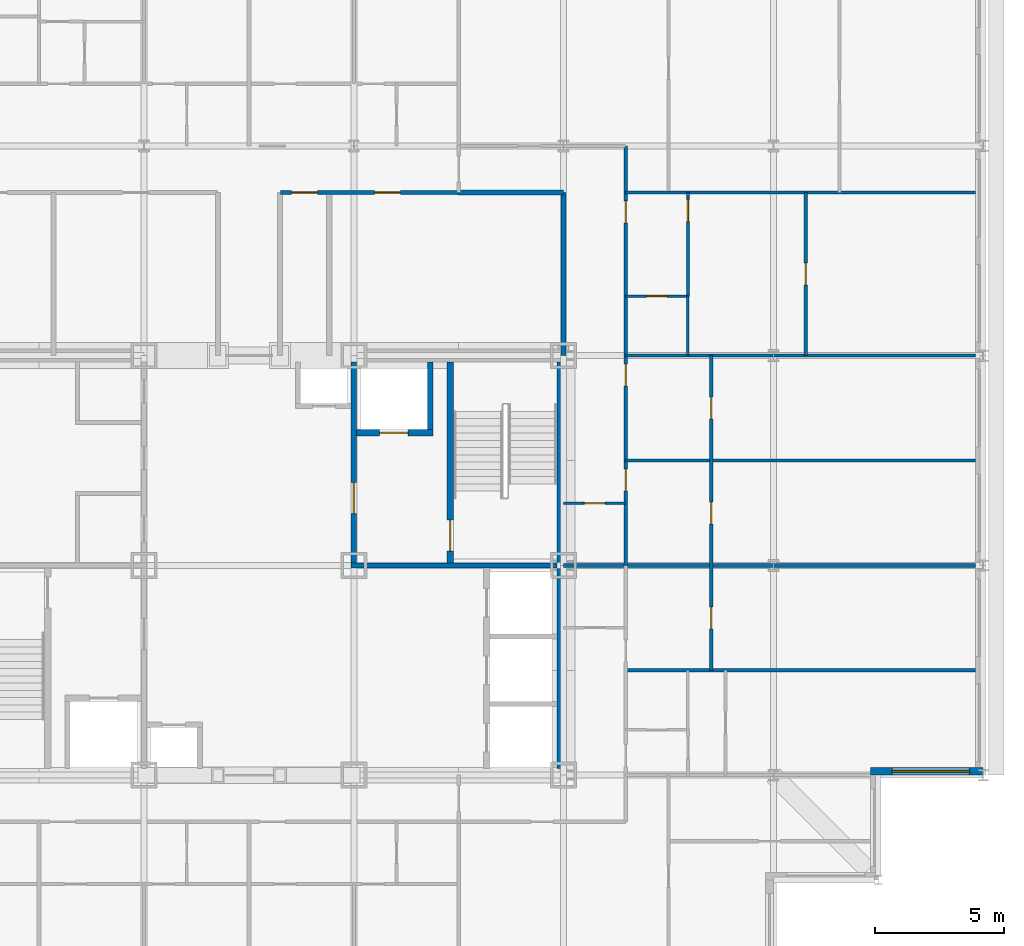
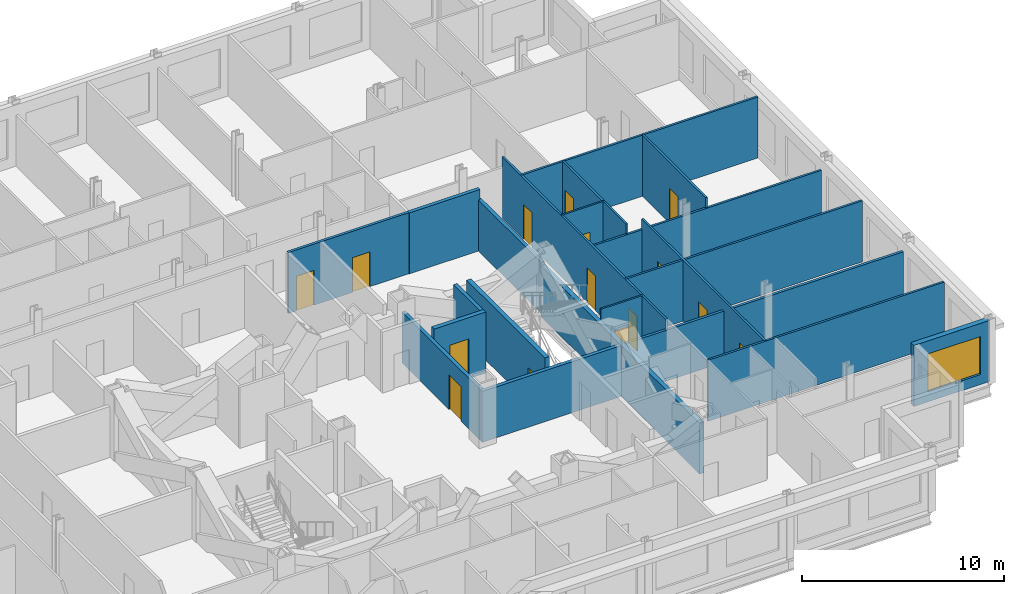
# One storey, part 11 of 16: 22 walls, 15 doors, 1 window, 16 openings.
"""IFC4 building model written with IfcOpenShell, lengths in metres."""

from ifc_helpers import new_model, si_unit, direction, frame, frame_2d, origin, place, context, subcontext, project, spatial, rectangle, extrude, material, layer, layer_set, type_object, element, fill, save


model = new_model("IFC4")

# Units and contexts
model_context = context("Model", 3, precision=1e-05, world=origin(), true_north=direction((0.0, 1.0)))
body_context = subcontext(model_context, "Body", "Model", "MODEL_VIEW")
ifc_project = project(units=[si_unit("LENGTHUNIT", "METRE"), si_unit("AREAUNIT", "SQUARE_METRE"), si_unit("VOLUMEUNIT", "CUBIC_METRE"), si_unit("PLANEANGLEUNIT", "RADIAN"), si_unit("MASSUNIT", "GRAM", prefix="KILO")], contexts=[model_context])

# Site, building, storey
site_placement = place(None, origin())
site = spatial("IfcSite", under=ifc_project, at=site_placement, CompositionType="ELEMENT")
building_placement = place(site_placement, origin())
building = spatial("IfcBuilding", under=site, at=building_placement, Name="Kopane Lantern Tower", CompositionType="ELEMENT")
storey_placement = place(building_placement, frame((0.0, 0.0, 261.89990234375)))
storey = spatial("IfcBuildingStorey", under=building, at=storey_placement, Name="L67", CompositionType="ELEMENT", Elevation=261.89990234375)

# Wall
ifc_material_1 = material(Name="Gypsum board on steel studs", Category="steel")
ifc_layer_1 = layer(ifc_material_1, 0.1201171875)
ifc_layer_set_1 = layer_set([ifc_layer_1], Name="APARTMENT INTERNAL WALL 120")
wall_type_1 = type_object("IfcWallType", Name="APARTMENT INTERNAL WALL 120", PredefinedType="PARTITIONING", material=ifc_layer_set_1)
wall_1_placement = place(storey_placement, frame((42.89990234375, 28.35009765625, 0.0), z_axis=(0.0, 0.0, 1.0), x_axis=(1.0, 0.0, 0.0)))
element("IfcWall", 1, at=wall_1_placement, inside=storey, type_object=wall_type_1, Name="Apartment Internal Wall 120 L67", PredefinedType="PARTITIONING", context=body_context, shape_type="SweptSolid", body=[
    extrude(rectangle(XDim=13.5, YDim=0.1201171875, at=frame_2d((6.75, 0.0))), origin(), (0.0, 0.0, 1.0), 3.690185546875),
])

# Wall, openings, doors
wall_2_placement = place(storey_placement, frame((42.89990234375, 48.60009765625, 0.0), z_axis=(0.0, 0.0, 1.0), x_axis=(0.0, -1.0, 0.0)))
wall_2 = element("IfcWall", 2, at=wall_2_placement, inside=storey, type_object=wall_type_1, Name="Apartment Internal Wall 120 L67", PredefinedType="PARTITIONING", context=body_context, shape_type="SweptSolid", body=[
    extrude(rectangle(XDim=16.2001953125, YDim=0.1201171875, at=frame_2d((8.10009765625, 0.0))), origin(), (0.0, 0.0, 1.0), 3.690185546875),
])
opening_1_placement = place(wall_2_placement, frame((2.125, 0.0, 0.0)))
opening_1 = element("IfcOpeningElement", 3, at=opening_1_placement, cuts=wall_2, Name="Opening L67-062", PredefinedType="OPENING", context=body_context, shape_type="SweptSolid", body=[
    extrude(rectangle(XDim=0.85009765625, YDim=2.10009765625, at=frame_2d((0.425048828125, 1.050048828125))), frame((0.0, 0.070068359375, 0.0), z_axis=(0.0, -1.0, 0.0), x_axis=(1.0, 0.0, 0.0)), (0.0, 0.0, 1.0), 0.14013671875),
])
opening_2_placement = place(wall_2_placement, frame((8.425048828125, 0.0, 0.0)))
opening_2 = element("IfcOpeningElement", 4, at=opening_2_placement, cuts=wall_2, Name="Opening L67-063", PredefinedType="OPENING", context=body_context, shape_type="SweptSolid", body=[
    extrude(rectangle(XDim=0.85009765625, YDim=2.10009765625, at=frame_2d((0.425048828125, 1.050048828125))), frame((0.0, 0.070068359375, 0.0), z_axis=(0.0, -1.0, 0.0), x_axis=(1.0, 0.0, 0.0)), (0.0, 0.0, 1.0), 0.14013671875),
])
opening_3_placement = place(wall_2_placement, frame((12.47509765625, 0.0, 0.0)))
opening_3 = element("IfcOpeningElement", 5, at=opening_3_placement, cuts=wall_2, Name="Opening L67-064", PredefinedType="OPENING", context=body_context, shape_type="SweptSolid", body=[
    extrude(rectangle(XDim=0.85009765625, YDim=2.10009765625, at=frame_2d((0.425048828125, 1.050048828125))), frame((0.0, 0.070068359375, 0.0), z_axis=(0.0, -1.0, 0.0), x_axis=(1.0, 0.0, 0.0)), (0.0, 0.0, 1.0), 0.14013671875),
])
ifc_material_2 = material(Name="Timber door set", Category="wood")
door_type_1 = type_object("IfcDoorType", Name="DOOR D4 850x2100", OperationType="SINGLE_SWING_LEFT", PredefinedType="DOOR", material=ifc_material_2)
door_1_placement = place(opening_1_placement, origin())
door_1 = element("IfcDoor", 6, at=door_1_placement, inside=storey, type_object=door_type_1, Name="Door L67-062", OperationType="SINGLE_SWING_LEFT", OverallHeight=2.10009765625, OverallWidth=0.85009765625, PredefinedType="DOOR", context=body_context, shape_type="SweptSolid", body=[
    extrude(rectangle(XDim=0.85009765625, YDim=2.10009765625, at=frame_2d((0.425048828125, 1.050048828125))), frame((0.0, 0.02490234375, 0.0), z_axis=(0.0, -1.0, 0.0), x_axis=(1.0, 0.0, 0.0)), (0.0, 0.0, 1.0), 0.050048828125),
])
fill(opening_1, door_1)
door_2_placement = place(opening_2_placement, origin())
door_2 = element("IfcDoor", 7, at=door_2_placement, inside=storey, type_object=door_type_1, Name="Door L67-063", OperationType="SINGLE_SWING_LEFT", OverallHeight=2.10009765625, OverallWidth=0.85009765625, PredefinedType="DOOR", context=body_context, shape_type="SweptSolid", body=[
    extrude(rectangle(XDim=0.85009765625, YDim=2.10009765625, at=frame_2d((0.425048828125, 1.050048828125))), frame((0.0, 0.02490234375, 0.0), z_axis=(0.0, -1.0, 0.0), x_axis=(1.0, 0.0, 0.0)), (0.0, 0.0, 1.0), 0.050048828125),
])
fill(opening_2, door_2)
door_3_placement = place(opening_3_placement, origin())
door_3 = element("IfcDoor", 8, at=door_3_placement, inside=storey, type_object=door_type_1, Name="Door L67-064", OperationType="SINGLE_SWING_LEFT", OverallHeight=2.10009765625, OverallWidth=0.85009765625, PredefinedType="DOOR", context=body_context, shape_type="SweptSolid", body=[
    extrude(rectangle(XDim=0.85009765625, YDim=2.10009765625, at=frame_2d((0.425048828125, 1.050048828125))), frame((0.0, 0.02490234375, 0.0), z_axis=(0.0, -1.0, 0.0), x_axis=(1.0, 0.0, 0.0)), (0.0, 0.0, 1.0), 0.050048828125),
])
fill(opening_3, door_3)

# Walls
wall_3_placement = place(storey_placement, frame((42.89990234375, 46.800048828125, 0.0), z_axis=(0.0, 0.0, 1.0), x_axis=(1.0, 0.0, 0.0)))
element("IfcWall", 9, at=wall_3_placement, inside=storey, type_object=wall_type_1, Name="Apartment Internal Wall 120 L67", PredefinedType="PARTITIONING", context=body_context, shape_type="SweptSolid", body=[
    extrude(rectangle(XDim=13.5, YDim=0.1201171875, at=frame_2d((6.75, 0.0))), origin(), (0.0, 0.0, 1.0), 3.690185546875),
])
wall_4_placement = place(storey_placement, frame((42.89990234375, 40.5, 0.0), z_axis=(0.0, 0.0, 1.0), x_axis=(1.0, 0.0, 0.0)))
element("IfcWall", 10, at=wall_4_placement, inside=storey, type_object=wall_type_1, Name="Apartment Internal Wall 120 L67", PredefinedType="PARTITIONING", context=body_context, shape_type="SweptSolid", body=[
    extrude(rectangle(XDim=13.5, YDim=0.1201171875, at=frame_2d((6.75, 0.0))), origin(), (0.0, 0.0, 1.0), 3.077880859375),
])
wall_5_placement = place(storey_placement, frame((42.89990234375, 36.449951171875, 0.0), z_axis=(0.0, 0.0, 1.0), x_axis=(1.0, 0.0, 0.0)))
element("IfcWall", 11, at=wall_5_placement, inside=storey, type_object=wall_type_1, Name="Apartment Internal Wall 120 L67", PredefinedType="PARTITIONING", context=body_context, shape_type="SweptSolid", body=[
    extrude(rectangle(XDim=13.5, YDim=0.1201171875, at=frame_2d((6.75, 0.0))), origin(), (0.0, 0.0, 1.0), 3.690185546875),
])

# Wall, opening, door
wall_6_placement = place(storey_placement, frame((45.300048828125, 46.800048828125, 0.0), z_axis=(0.0, 0.0, 1.0), x_axis=(0.0, -1.0, 0.0)))
wall_6 = element("IfcWall", 12, at=wall_6_placement, inside=storey, type_object=wall_type_1, Name="Apartment Internal Wall 120 L67", PredefinedType="PARTITIONING", context=body_context, shape_type="SweptSolid", body=[
    extrude(rectangle(XDim=4.010009765625, YDim=0.1201171875, at=frame_2d((2.0048828125, 0.0))), origin(), (0.0, 0.0, 1.0), 3.690185546875),
])
opening_4_placement = place(wall_6_placement, frame((0.27490234375, 0.0, 0.0)))
opening_4 = element("IfcOpeningElement", 13, at=opening_4_placement, cuts=wall_6, Name="Opening L67-070", PredefinedType="OPENING", context=body_context, shape_type="SweptSolid", body=[
    extrude(rectangle(XDim=0.85009765625, YDim=2.10009765625, at=frame_2d((0.425048828125, 1.050048828125))), frame((0.0, 0.070068359375, 0.0), z_axis=(0.0, -1.0, 0.0), x_axis=(1.0, 0.0, 0.0)), (0.0, 0.0, 1.0), 0.14013671875),
])
door_4_placement = place(opening_4_placement, origin())
door_4 = element("IfcDoor", 14, at=door_4_placement, inside=storey, type_object=door_type_1, Name="Door L67-070", OperationType="SINGLE_SWING_LEFT", OverallHeight=2.10009765625, OverallWidth=0.85009765625, PredefinedType="DOOR", context=body_context, shape_type="SweptSolid", body=[
    extrude(rectangle(XDim=0.85009765625, YDim=2.10009765625, at=frame_2d((0.425048828125, 1.050048828125))), frame((0.0, 0.02490234375, 0.0), z_axis=(0.0, -1.0, 0.0), x_axis=(1.0, 0.0, 0.0)), (0.0, 0.0, 1.0), 0.050048828125),
])
fill(opening_4, door_4)

# Wall, openings, doors
wall_7_placement = place(storey_placement, frame((46.199951171875, 28.35009765625, 0.0), z_axis=(0.0, 0.0, 1.0), x_axis=(0.0, 1.0, 0.0)))
wall_7 = element("IfcWall", 15, at=wall_7_placement, inside=storey, type_object=wall_type_1, Name="Apartment Internal Wall 120 L67", PredefinedType="PARTITIONING", context=body_context, shape_type="SweptSolid", body=[
    extrude(rectangle(XDim=12.14990234375, YDim=0.1201171875, at=frame_2d((6.074951171875, 0.0))), origin(), (0.0, 0.0, 1.0), 3.690185546875),
])
opening_5_placement = place(wall_7_placement, frame((1.60009765625, 0.0, 0.0)))
opening_5 = element("IfcOpeningElement", 16, at=opening_5_placement, cuts=wall_7, Name="Opening L67-078", PredefinedType="OPENING", context=body_context, shape_type="SweptSolid", body=[
    extrude(rectangle(XDim=0.85009765625, YDim=2.10009765625, at=frame_2d((0.425048828125, 1.050048828125))), frame((0.0, 0.070068359375, 0.0), z_axis=(0.0, -1.0, 0.0), x_axis=(1.0, 0.0, 0.0)), (0.0, 0.0, 1.0), 0.14013671875),
])
opening_6_placement = place(wall_7_placement, frame((9.699951171875, 0.0, 0.0)))
opening_6 = element("IfcOpeningElement", 17, at=opening_6_placement, cuts=wall_7, Name="Opening L67-082", PredefinedType="OPENING", context=body_context, shape_type="SweptSolid", body=[
    extrude(rectangle(XDim=0.85009765625, YDim=2.10009765625, at=frame_2d((0.425048828125, 1.050048828125))), frame((0.0, 0.070068359375, 0.0), z_axis=(0.0, -1.0, 0.0), x_axis=(1.0, 0.0, 0.0)), (0.0, 0.0, 1.0), 0.14013671875),
])
opening_7_placement = place(wall_7_placement, frame((5.64990234375, 0.0, 0.0)))
opening_7 = element("IfcOpeningElement", 18, at=opening_7_placement, cuts=wall_7, Name="Opening L67-083", PredefinedType="OPENING", context=body_context, shape_type="SweptSolid", body=[
    extrude(rectangle(XDim=0.85009765625, YDim=2.10009765625, at=frame_2d((0.425048828125, 1.050048828125))), frame((0.0, 0.070068359375, 0.0), z_axis=(0.0, -1.0, 0.0), x_axis=(1.0, 0.0, 0.0)), (0.0, 0.0, 1.0), 0.14013671875),
])
door_5_placement = place(opening_5_placement, origin())
door_5 = element("IfcDoor", 19, at=door_5_placement, inside=storey, type_object=door_type_1, Name="Door L67-078", OperationType="SINGLE_SWING_LEFT", OverallHeight=2.10009765625, OverallWidth=0.85009765625, PredefinedType="DOOR", context=body_context, shape_type="SweptSolid", body=[
    extrude(rectangle(XDim=0.85009765625, YDim=2.10009765625, at=frame_2d((0.425048828125, 1.050048828125))), frame((0.0, 0.02490234375, 0.0), z_axis=(0.0, -1.0, 0.0), x_axis=(1.0, 0.0, 0.0)), (0.0, 0.0, 1.0), 0.050048828125),
])
fill(opening_5, door_5)
door_6_placement = place(opening_6_placement, origin())
door_6 = element("IfcDoor", 20, at=door_6_placement, inside=storey, type_object=door_type_1, Name="Door L67-082", OperationType="SINGLE_SWING_LEFT", OverallHeight=2.10009765625, OverallWidth=0.85009765625, PredefinedType="DOOR", context=body_context, shape_type="SweptSolid", body=[
    extrude(rectangle(XDim=0.85009765625, YDim=2.10009765625, at=frame_2d((0.425048828125, 1.050048828125))), frame((0.0, 0.02490234375, 0.0), z_axis=(0.0, -1.0, 0.0), x_axis=(1.0, 0.0, 0.0)), (0.0, 0.0, 1.0), 0.050048828125),
])
fill(opening_6, door_6)
door_7_placement = place(opening_7_placement, origin())
door_7 = element("IfcDoor", 21, at=door_7_placement, inside=storey, type_object=door_type_1, Name="Door L67-083", OperationType="SINGLE_SWING_RIGHT", OverallHeight=2.10009765625, OverallWidth=0.85009765625, PredefinedType="DOOR", context=body_context, shape_type="SweptSolid", body=[
    extrude(rectangle(XDim=0.85009765625, YDim=2.10009765625, at=frame_2d((0.425048828125, 1.050048828125))), frame((0.0, 0.02490234375, 0.0), z_axis=(0.0, -1.0, 0.0), x_axis=(1.0, 0.0, 0.0)), (0.0, 0.0, 1.0), 0.050048828125),
])
fill(opening_7, door_7)

# Wall, opening, door
wall_8_placement = place(storey_placement, frame((49.85009765625, 40.5, 0.0), z_axis=(0.0, 0.0, 1.0), x_axis=(0.0, 1.0, 0.0)))
wall_8 = element("IfcWall", 22, at=wall_8_placement, inside=storey, type_object=wall_type_1, Name="Apartment Internal Wall 120 L67", PredefinedType="PARTITIONING", context=body_context, shape_type="SweptSolid", body=[
    extrude(rectangle(XDim=6.300048828125, YDim=0.1201171875, at=frame_2d((3.14990234375, 0.0))), origin(), (0.0, 0.0, 1.0), 3.690185546875),
])
opening_8_placement = place(wall_8_placement, frame((2.72509765625, 0.0, 0.0)))
opening_8 = element("IfcOpeningElement", 23, at=opening_8_placement, cuts=wall_8, Name="Opening L67-081", PredefinedType="OPENING", context=body_context, shape_type="SweptSolid", body=[
    extrude(rectangle(XDim=0.85009765625, YDim=2.10009765625, at=frame_2d((0.425048828125, 1.050048828125))), frame((0.0, 0.070068359375, 0.0), z_axis=(0.0, -1.0, 0.0), x_axis=(1.0, 0.0, 0.0)), (0.0, 0.0, 1.0), 0.14013671875),
])
door_8_placement = place(opening_8_placement, origin())
door_8 = element("IfcDoor", 24, at=door_8_placement, inside=storey, type_object=door_type_1, Name="Door L67-081", OperationType="SINGLE_SWING_LEFT", OverallHeight=2.10009765625, OverallWidth=0.85009765625, PredefinedType="DOOR", context=body_context, shape_type="SweptSolid", body=[
    extrude(rectangle(XDim=0.85009765625, YDim=2.10009765625, at=frame_2d((0.425048828125, 1.050048828125))), frame((0.0, 0.02490234375, 0.0), z_axis=(0.0, -1.0, 0.0), x_axis=(1.0, 0.0, 0.0)), (0.0, 0.0, 1.0), 0.050048828125),
])
fill(opening_8, door_8)

ifc_material_3 = material(Name="Moisture-resistant board on steel studs", Category="steel")
ifc_layer_2 = layer(ifc_material_3, 0.10009765625)
ifc_layer_set_2 = layer_set([ifc_layer_2], Name="BATHROOM WALL 100")
wall_type_2 = type_object("IfcWallType", Name="BATHROOM WALL 100", PredefinedType="PARTITIONING", material=ifc_layer_set_2)
wall_9_placement = place(storey_placement, frame((40.5, 34.800048828125, 0.0), z_axis=(0.0, 0.0, 1.0), x_axis=(1.0, 0.0, 0.0)))
wall_9 = element("IfcWall", 25, at=wall_9_placement, inside=storey, type_object=wall_type_2, Name="Bathroom Wall 100 L67", PredefinedType="PARTITIONING", context=body_context, shape_type="SweptSolid", body=[
    extrude(rectangle(XDim=2.39990234375, YDim=0.10009765625, at=frame_2d((1.199951171875, 0.0))), origin(), (0.0, 0.0, 1.0), 3.690185546875),
])
opening_9_placement = place(wall_9_placement, frame((0.800048828125, 0.0, 0.0)))
opening_9 = element("IfcOpeningElement", 26, at=opening_9_placement, cuts=wall_9, Name="Opening L67-056", PredefinedType="OPENING", context=body_context, shape_type="SweptSolid", body=[
    extrude(rectangle(XDim=0.800048828125, YDim=2.10009765625, at=frame_2d((0.39990234375, 1.050048828125))), frame((0.0, 0.06005859375, 0.0), z_axis=(0.0, -1.0, 0.0), x_axis=(1.0, 0.0, 0.0)), (0.0, 0.0, 1.0), 0.1201171875),
])
ifc_material_4 = material(Name="Timber door set", Category="wood")
door_type_2 = type_object("IfcDoorType", Name="DOOR D2 800x2100", OperationType="SINGLE_SWING_LEFT", PredefinedType="DOOR", material=ifc_material_4)
door_9_placement = place(opening_9_placement, origin())
door_9 = element("IfcDoor", 27, at=door_9_placement, inside=storey, type_object=door_type_2, Name="Door L67-056", OperationType="SINGLE_SWING_RIGHT", OverallHeight=2.10009765625, OverallWidth=0.800048828125, PredefinedType="DOOR", context=body_context, shape_type="SweptSolid", body=[
    extrude(rectangle(XDim=0.800048828125, YDim=2.10009765625, at=frame_2d((0.39990234375, 1.050048828125))), frame((0.0, 0.02490234375, 0.0), z_axis=(0.0, -1.0, 0.0), x_axis=(1.0, 0.0, 0.0)), (0.0, 0.0, 1.0), 0.050048828125),
])
fill(opening_9, door_9)

wall_10_placement = place(storey_placement, frame((42.89990234375, 42.800048828125, 0.0), z_axis=(0.0, 0.0, 1.0), x_axis=(1.0, 0.0, 0.0)))
wall_10 = element("IfcWall", 28, at=wall_10_placement, inside=storey, type_object=wall_type_2, Name="Bathroom Wall 100 L67", PredefinedType="PARTITIONING", context=body_context, shape_type="SweptSolid", body=[
    extrude(rectangle(XDim=2.400146484375, YDim=0.10009765625, at=frame_2d((1.2001953125, 0.0))), origin(), (0.0, 0.0, 1.0), 3.690185546875),
])
opening_10_placement = place(wall_10_placement, frame((0.800048828125, 0.0, 0.0)))
opening_10 = element("IfcOpeningElement", 29, at=opening_10_placement, cuts=wall_10, Name="Opening L67-061", PredefinedType="OPENING", context=body_context, shape_type="SweptSolid", body=[
    extrude(rectangle(XDim=0.800048828125, YDim=2.10009765625, at=frame_2d((0.39990234375, 1.050048828125))), frame((0.0, 0.06005859375, 0.0), z_axis=(0.0, -1.0, 0.0), x_axis=(1.0, 0.0, 0.0)), (0.0, 0.0, 1.0), 0.1201171875),
])
door_10_placement = place(opening_10_placement, origin())
door_10 = element("IfcDoor", 30, at=door_10_placement, inside=storey, type_object=door_type_2, Name="Door L67-061", OperationType="SINGLE_SWING_LEFT", OverallHeight=2.10009765625, OverallWidth=0.800048828125, PredefinedType="DOOR", context=body_context, shape_type="SweptSolid", body=[
    extrude(rectangle(XDim=0.800048828125, YDim=2.10009765625, at=frame_2d((0.39990234375, 1.050048828125))), frame((0.0, 0.02490234375, 0.0), z_axis=(0.0, -1.0, 0.0), x_axis=(1.0, 0.0, 0.0)), (0.0, 0.0, 1.0), 0.050048828125),
])
fill(opening_10, door_10)

# Walls
wall_11_placement = place(storey_placement, frame((45.300048828125, 42.800048828125, 0.0), z_axis=(0.0, 0.0, 1.0), x_axis=(0.0, -1.0, 0.0)))
element("IfcWall", 31, at=wall_11_placement, inside=storey, type_object=wall_type_2, Name="Bathroom Wall 100 L67", PredefinedType="PARTITIONING", context=body_context, shape_type="SweptSolid", body=[
    extrude(rectangle(XDim=2.300048828125, YDim=0.10009765625, at=frame_2d((1.14990234375, 0.0))), origin(), (0.0, 0.0, 1.0), 3.690185546875),
])
ifc_material_5 = material(Name="Gypsum shaft wall EI 120", Category="gypsum")
ifc_layer_3 = layer(ifc_material_5, 0.25)
ifc_layer_set_3 = layer_set([ifc_layer_3], Name="CORE SHAFT WALL 250 EI 120")
wall_type_3 = type_object("IfcWallType", Name="CORE SHAFT WALL 250 EI 120", PredefinedType="SOLIDWALL", material=ifc_layer_set_3)
wall_12_placement = place(storey_placement, frame((40.375, 24.550048828125, 0.0), z_axis=(0.0, 0.0, 1.0), x_axis=(0.0, 1.0, 0.0)))
element("IfcWall", 32, at=wall_12_placement, inside=storey, type_object=wall_type_3, Name="Core shaft wall L67 PE", PredefinedType="SOLIDWALL", context=body_context, shape_type="SweptSolid", body=[
    extrude(rectangle(XDim=15.699951171875, YDim=0.25, at=frame_2d((7.85009765625, 0.0))), origin(), (0.0, 0.0, 1.0), 3.077880859375),
])

# Wall, opening, door
wall_13_placement = place(storey_placement, frame((36.125, 32.5, 0.0), z_axis=(0.0, 0.0, 1.0), x_axis=(0.0, 1.0, 0.0)))
wall_13 = element("IfcWall", 33, at=wall_13_placement, inside=storey, type_object=wall_type_3, Name="Core shaft wall L67 XST2", PredefinedType="SOLIDWALL", context=body_context, shape_type="SweptSolid", body=[
    extrude(rectangle(XDim=7.75, YDim=0.25, at=frame_2d((3.875, 0.0))), origin(), (0.0, 0.0, 1.0), 3.690185546875),
])
opening_11_placement = place(wall_13_placement, frame((0.449951171875, 0.0, 0.0)))
opening_11 = element("IfcOpeningElement", 34, at=opening_11_placement, cuts=wall_13, Name="Opening 67.SD2", PredefinedType="OPENING", context=body_context, shape_type="SweptSolid", body=[
    extrude(rectangle(XDim=1.199951171875, YDim=2.10009765625, at=frame_2d((0.60009765625, 1.050048828125))), frame((0.0, 0.135009765625, 0.0), z_axis=(0.0, -1.0, 0.0), x_axis=(1.0, 0.0, 0.0)), (0.0, 0.0, 1.0), 0.27001953125),
])
ifc_material_6 = material(Name="Steel door set", Category="steel")
door_type_3 = type_object("IfcDoorType", Name="STAIR DOOR 1200x2100 FD60S", OperationType="SINGLE_SWING_LEFT", PredefinedType="DOOR", material=ifc_material_6)
door_11_placement = place(opening_11_placement, origin())
door_11 = element("IfcDoor", 35, at=door_11_placement, inside=storey, type_object=door_type_3, Name="Stair door ST2 L67", OperationType="SINGLE_SWING_RIGHT", OverallHeight=2.10009765625, OverallWidth=1.199951171875, PredefinedType="DOOR", context=body_context, shape_type="SweptSolid", body=[
    extrude(rectangle(XDim=1.199951171875, YDim=2.10009765625, at=frame_2d((0.60009765625, 1.050048828125))), frame((0.0, 0.02490234375, 0.0), z_axis=(0.0, -1.0, 0.0), x_axis=(1.0, 0.0, 0.0)), (0.0, 0.0, 1.0), 0.050048828125),
])
fill(opening_11, door_11)

wall_14_placement = place(storey_placement, frame((32.5, 37.52490234375, 0.0), z_axis=(0.0, 0.0, 1.0), x_axis=(1.0, 0.0, 0.0)))
wall_14 = element("IfcWall", 36, at=wall_14_placement, inside=storey, type_object=wall_type_3, Name="Core shaft wall L67 YLF2", PredefinedType="SOLIDWALL", context=body_context, shape_type="SweptSolid", body=[
    extrude(rectangle(XDim=2.949951171875, YDim=0.25, at=frame_2d((1.47509765625, 0.0))), origin(), (0.0, 0.0, 1.0), 3.690185546875),
])
opening_12_placement = place(wall_14_placement, frame((0.89990234375, 0.0, 0.0)))
opening_12 = element("IfcOpeningElement", 37, at=opening_12_placement, cuts=wall_14, Name="Opening 67.LD-LF2", PredefinedType="OPENING", context=body_context, shape_type="SweptSolid", body=[
    extrude(rectangle(XDim=1.10009765625, YDim=2.39990234375, at=frame_2d((0.550048828125, 1.199951171875))), frame((0.0, 0.135009765625, 0.0), z_axis=(0.0, -1.0, 0.0), x_axis=(1.0, 0.0, 0.0)), (0.0, 0.0, 1.0), 0.27001953125),
])
ifc_material_7 = material(Name="Steel door set", Category="steel")
door_type_4 = type_object("IfcDoorType", Name="LIFT LANDING DOOR 1100x2400 FD60", OperationType="DOUBLE_DOOR_SLIDING", PredefinedType="DOOR", material=ifc_material_7)
door_12_placement = place(opening_12_placement, origin())
door_12 = element("IfcDoor", 38, at=door_12_placement, inside=storey, type_object=door_type_4, Name="Landing door LF2 L67", OperationType="DOUBLE_DOOR_SLIDING", OverallHeight=2.39990234375, OverallWidth=1.10009765625, PredefinedType="DOOR", context=body_context, shape_type="SweptSolid", body=[
    extrude(rectangle(XDim=1.10009765625, YDim=2.39990234375, at=frame_2d((0.550048828125, 1.199951171875))), frame((0.0, 0.02490234375, 0.0), z_axis=(0.0, -1.0, 0.0), x_axis=(1.0, 0.0, 0.0)), (0.0, 0.0, 1.0), 0.050048828125),
])
fill(opening_12, door_12)

# Wall, openings, doors
ifc_material_8 = material(Name="Gypsum board on steel studs", Category="steel")
ifc_layer_4 = layer(ifc_material_8, 0.14990234375)
ifc_layer_set_4 = layer_set([ifc_layer_4], Name="CORRIDOR WALL 150 EI 60")
wall_type_4 = type_object("IfcWallType", Name="CORRIDOR WALL 150 EI 60", PredefinedType="PARTITIONING", material=ifc_layer_set_4)
wall_15_placement = place(storey_placement, frame((29.56005859375, 46.800048828125, 0.0), z_axis=(0.0, 0.0, 1.0), x_axis=(1.0, 0.0, 0.0)))
wall_15 = element("IfcWall", 39, at=wall_15_placement, inside=storey, type_object=wall_type_4, Name="Corridor Wall 150 Ei 60 L67", PredefinedType="PARTITIONING", context=body_context, shape_type="SweptSolid", body=[
    extrude(rectangle(XDim=6.889892578125, YDim=0.14990234375, at=frame_2d((3.44482421875, 0.0))), origin(), (0.0, 0.0, 1.0), 3.690185546875),
])
opening_13_placement = place(wall_15_placement, frame((0.4423828125, 0.0, 0.0)))
opening_13 = element("IfcOpeningElement", 40, at=opening_13_placement, cuts=wall_15, Name="Opening L67-007", PredefinedType="OPENING", context=body_context, shape_type="SweptSolid", body=[
    extrude(rectangle(XDim=1.0, YDim=2.10009765625, at=frame_2d((0.5, 1.050048828125))), frame((0.0, 0.0849609375, 0.0), z_axis=(0.0, -1.0, 0.0), x_axis=(1.0, 0.0, 0.0)), (0.0, 0.0, 1.0), 0.169921875),
])
opening_14_placement = place(wall_15_placement, frame((3.642333984375, 0.0, 0.0)))
opening_14 = element("IfcOpeningElement", 41, at=opening_14_placement, cuts=wall_15, Name="Opening L67-008", PredefinedType="OPENING", context=body_context, shape_type="SweptSolid", body=[
    extrude(rectangle(XDim=1.0, YDim=2.10009765625, at=frame_2d((0.5, 1.050048828125))), frame((0.0, 0.0849609375, 0.0), z_axis=(0.0, -1.0, 0.0), x_axis=(1.0, 0.0, 0.0)), (0.0, 0.0, 1.0), 0.169921875),
])
ifc_material_9 = material(Name="Steel door set", Category="steel")
door_type_5 = type_object("IfcDoorType", Name="DOOR D5 1000x2100 FD60", OperationType="SINGLE_SWING_LEFT", PredefinedType="DOOR", material=ifc_material_9)
door_13_placement = place(opening_13_placement, origin())
door_13 = element("IfcDoor", 42, at=door_13_placement, inside=storey, type_object=door_type_5, Name="Door L67-007", OperationType="SINGLE_SWING_RIGHT", OverallHeight=2.10009765625, OverallWidth=1.0, PredefinedType="DOOR", context=body_context, shape_type="SweptSolid", body=[
    extrude(rectangle(XDim=1.0, YDim=2.10009765625, at=frame_2d((0.5, 1.050048828125))), frame((0.0, 0.02490234375, 0.0), z_axis=(0.0, -1.0, 0.0), x_axis=(1.0, 0.0, 0.0)), (0.0, 0.0, 1.0), 0.050048828125),
])
fill(opening_13, door_13)
door_14_placement = place(opening_14_placement, origin())
door_14 = element("IfcDoor", 43, at=door_14_placement, inside=storey, type_object=door_type_5, Name="Door L67-008", OperationType="SINGLE_SWING_RIGHT", OverallHeight=2.10009765625, OverallWidth=1.0, PredefinedType="DOOR", context=body_context, shape_type="SweptSolid", body=[
    extrude(rectangle(XDim=1.0, YDim=2.10009765625, at=frame_2d((0.5, 1.050048828125))), frame((0.0, 0.02490234375, 0.0), z_axis=(0.0, -1.0, 0.0), x_axis=(1.0, 0.0, 0.0)), (0.0, 0.0, 1.0), 0.050048828125),
])
fill(opening_14, door_14)

# Wall
ifc_material_10 = material(Name="Gypsum board on steel studs", Category="steel")
ifc_layer_5 = layer(ifc_material_10, 0.14990234375)
ifc_layer_set_5 = layer_set([ifc_layer_5], Name="DEMISING WALL 150 EI 60")
wall_type_5 = type_object("IfcWallType", Name="DEMISING WALL 150 EI 60", PredefinedType="PARTITIONING", material=ifc_layer_set_5)
wall_16_placement = place(storey_placement, frame((40.5, 32.39990234375, 0.0), z_axis=(0.0, 0.0, 1.0), x_axis=(1.0, 0.0, 0.0)))
element("IfcWall", 44, at=wall_16_placement, inside=storey, type_object=wall_type_5, Name="Demising Wall 150 Ei 60 L67", PredefinedType="PARTITIONING", context=body_context, shape_type="SweptSolid", body=[
    extrude(rectangle(XDim=15.89990234375, YDim=0.14990234375, at=frame_2d((7.949951171875, 0.0))), origin(), (0.0, 0.0, 1.0), 3.077880859375),
])

# Wall, opening, window
ifc_material_11 = material(Name="Terracotta rainscreen on light steel framing", Category="masonry")
ifc_layer_6 = layer(ifc_material_11, 0.300048828125)
ifc_layer_set_6 = layer_set([ifc_layer_6], Name="EXTERNAL WALL EW1 300 TERRACOTTA")
wall_type_6 = type_object("IfcWallType", Name="EXTERNAL WALL EW1 300 TERRACOTTA", PredefinedType="SOLIDWALL", material=ifc_layer_set_6)
wall_17_placement = place(storey_placement, frame((52.35009765625, 24.449951171875, 0.0), z_axis=(0.0, 0.0, 1.0), x_axis=(1.0, 0.0, 0.0)))
wall_17 = element("IfcWall", 45, at=wall_17_placement, inside=storey, type_object=wall_type_6, Name="External wall S L67", PredefinedType="SOLIDWALL", context=body_context, shape_type="SweptSolid", body=[
    extrude(rectangle(XDim=4.349853515625, YDim=0.300048828125, at=frame_2d((2.1748046875, 0.0))), origin(), (0.0, 0.0, 1.0), 3.690185546875),
])
opening_15_placement = place(wall_17_placement, frame((0.824951171875, 0.0, 0.60009765625)))
opening_15 = element("IfcOpeningElement", 46, at=opening_15_placement, cuts=wall_17, Name="Opening WR300230", PredefinedType="OPENING", context=body_context, shape_type="SweptSolid", body=[
    extrude(rectangle(XDim=3.0, YDim=2.300048828125, at=frame_2d((1.5, 1.14990234375))), frame((0.0, 0.159912109375, 0.0), z_axis=(0.0, -1.0, 0.0), x_axis=(1.0, 0.0, 0.0)), (0.0, 0.0, 1.0), 0.320068359375),
])
ifc_material_12 = material(Name="Aluminium and clear glass", Category="aluminium")
window_type = type_object("IfcWindowType", Name="RIBBON WINDOW WR300230 3000x2300", PartitioningType="SINGLE_PANEL", PredefinedType="WINDOW", material=ifc_material_12)
window_placement = place(opening_15_placement, origin())
window = element("IfcWindow", 47, at=window_placement, inside=storey, type_object=window_type, Name="Window S L67", OverallHeight=2.300048828125, OverallWidth=3.0, PartitioningType="SINGLE_PANEL", PredefinedType="WINDOW", context=body_context, shape_type="SweptSolid", body=[
    extrude(rectangle(XDim=3.0, YDim=2.300048828125, at=frame_2d((1.5, 1.14990234375))), frame((0.0, 0.030029296875, 0.0), z_axis=(0.0, -1.0, 0.0), x_axis=(1.0, 0.0, 0.0)), (0.0, 0.0, 1.0), 0.06005859375),
])
fill(opening_15, window)

# Walls
ifc_material_13 = material(Name="Concrete masonry", Category="masonry")
ifc_layer_7 = layer(ifc_material_13, 0.199951171875)
ifc_layer_set_7 = layer_set([ifc_layer_7], Name="PLANT ROOM WALL 200 EI 120")
wall_type_7 = type_object("IfcWallType", Name="PLANT ROOM WALL 200 EI 120", PredefinedType="SOLIDWALL", material=ifc_layer_set_7)
wall_18_placement = place(storey_placement, frame((40.5, 40.5, 0.0), z_axis=(0.0, 0.0, 1.0), x_axis=(0.0, 1.0, 0.0)))
element("IfcWall", 48, at=wall_18_placement, inside=storey, type_object=wall_type_7, Name="Plant Room Wall 200 Ei 120 L67", PredefinedType="SOLIDWALL", context=body_context, shape_type="SweptSolid", body=[
    extrude(rectangle(XDim=6.300048828125, YDim=0.199951171875, at=frame_2d((3.14990234375, 0.0))), origin(), (0.0, 0.0, 1.0), 3.077880859375),
])
wall_19_placement = place(storey_placement, frame((36.449951171875, 46.800048828125, 0.0), z_axis=(0.0, 0.0, 1.0), x_axis=(1.0, 0.0, 0.0)))
element("IfcWall", 49, at=wall_19_placement, inside=storey, type_object=wall_type_7, Name="Plant Room Wall 200 Ei 120 L67", PredefinedType="SOLIDWALL", context=body_context, shape_type="SweptSolid", body=[
    extrude(rectangle(XDim=4.050048828125, YDim=0.199951171875, at=frame_2d((2.02490234375, 0.0))), origin(), (0.0, 0.0, 1.0), 3.690185546875),
])
ifc_material_14 = material(Name="Gypsum shaft wall EI 120", Category="gypsum")
ifc_layer_8 = layer(ifc_material_14, 0.199951171875)
ifc_layer_set_8 = layer_set([ifc_layer_8], Name="SHAFT WALL 200 EI 120")
wall_type_8 = type_object("IfcWallType", Name="SHAFT WALL 200 EI 120", PredefinedType="SOLIDWALL", material=ifc_layer_set_8)
wall_20_placement = place(storey_placement, frame((32.300048828125, 32.39990234375, 0.0), z_axis=(0.0, 0.0, 1.0), x_axis=(1.0, 0.0, 0.0)))
element("IfcWall", 50, at=wall_20_placement, inside=storey, type_object=wall_type_8, Name="Core shaft wall L67 Y324E", PredefinedType="SOLIDWALL", context=body_context, shape_type="SweptSolid", body=[
    extrude(rectangle(XDim=7.949951171875, YDim=0.199951171875, at=frame_2d((3.97509765625, 0.0))), origin(), (0.0, 0.0, 1.0), 3.077880859375),
])

# Wall, opening, door
wall_21_placement = place(storey_placement, frame((32.39990234375, 32.5, 0.0), z_axis=(0.0, 0.0, 1.0), x_axis=(0.0, 1.0, 0.0)))
wall_21 = element("IfcWall", 51, at=wall_21_placement, inside=storey, type_object=wall_type_8, Name="Core shaft wall L67 X324", PredefinedType="SOLIDWALL", context=body_context, shape_type="SweptSolid", body=[
    extrude(rectangle(XDim=7.75, YDim=0.199951171875, at=frame_2d((3.875, 0.0))), origin(), (0.0, 0.0, 1.0), 3.077880859375),
])
opening_16_placement = place(wall_21_placement, frame((1.89990234375, 0.0, 0.0)))
opening_16 = element("IfcOpeningElement", 52, at=opening_16_placement, cuts=wall_21, Name="Opening 67.FL2", PredefinedType="OPENING", context=body_context, shape_type="SweptSolid", body=[
    extrude(rectangle(XDim=1.199951171875, YDim=2.10009765625, at=frame_2d((0.60009765625, 1.050048828125))), frame((0.0, 0.10986328125, 0.0), z_axis=(0.0, -1.0, 0.0), x_axis=(1.0, 0.0, 0.0)), (0.0, 0.0, 1.0), 0.219970703125),
])
ifc_material_15 = material(Name="Steel door set", Category="steel")
door_type_6 = type_object("IfcDoorType", Name="FIREFIGHTING LOBBY DOOR 1200x2100 FD60S", OperationType="SINGLE_SWING_RIGHT", PredefinedType="DOOR", material=ifc_material_15)
door_15_placement = place(opening_16_placement, origin())
door_15 = element("IfcDoor", 53, at=door_15_placement, inside=storey, type_object=door_type_6, Name="Firefighting lobby door FL2 L67", OperationType="SINGLE_SWING_LEFT", OverallHeight=2.10009765625, OverallWidth=1.199951171875, PredefinedType="DOOR", context=body_context, shape_type="SweptSolid", body=[
    extrude(rectangle(XDim=1.199951171875, YDim=2.10009765625, at=frame_2d((0.60009765625, 1.050048828125))), frame((0.0, 0.02490234375, 0.0), z_axis=(0.0, -1.0, 0.0), x_axis=(1.0, 0.0, 0.0)), (0.0, 0.0, 1.0), 0.050048828125),
])
fill(opening_16, door_15)

# Wall
wall_22_placement = place(storey_placement, frame((35.35009765625, 37.64990234375, 0.0), z_axis=(0.0, 0.0, 1.0), x_axis=(0.0, 1.0, 0.0)))
element("IfcWall", 54, at=wall_22_placement, inside=storey, type_object=wall_type_8, Name="Core shaft wall L67 XLF2", PredefinedType="SOLIDWALL", context=body_context, shape_type="SweptSolid", body=[
    extrude(rectangle(XDim=2.60009765625, YDim=0.199951171875, at=frame_2d((1.300048828125, 0.0))), origin(), (0.0, 0.0, 1.0), 3.690185546875),
])

save(model, "model.ifc")
